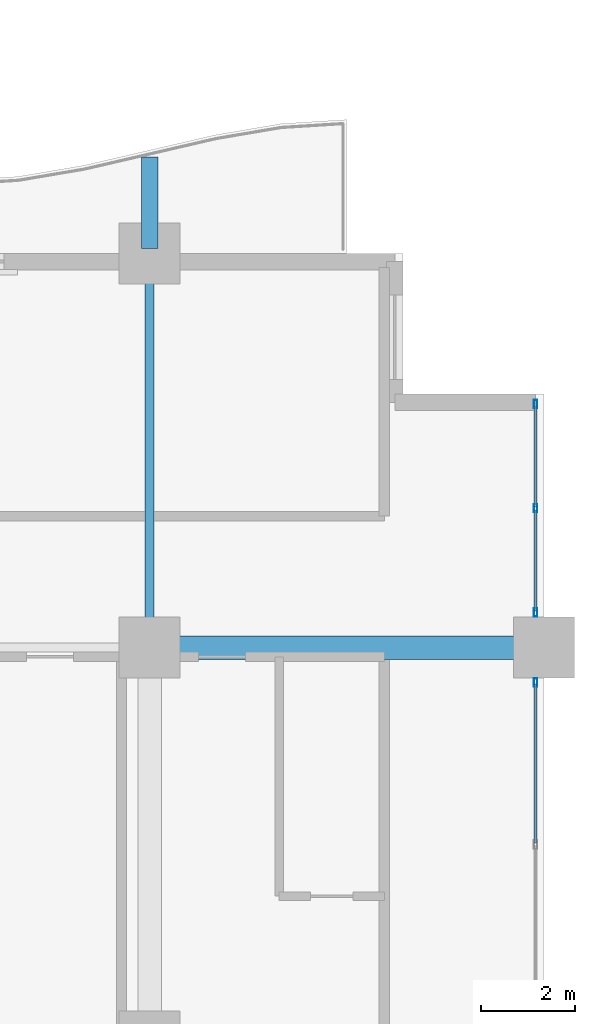
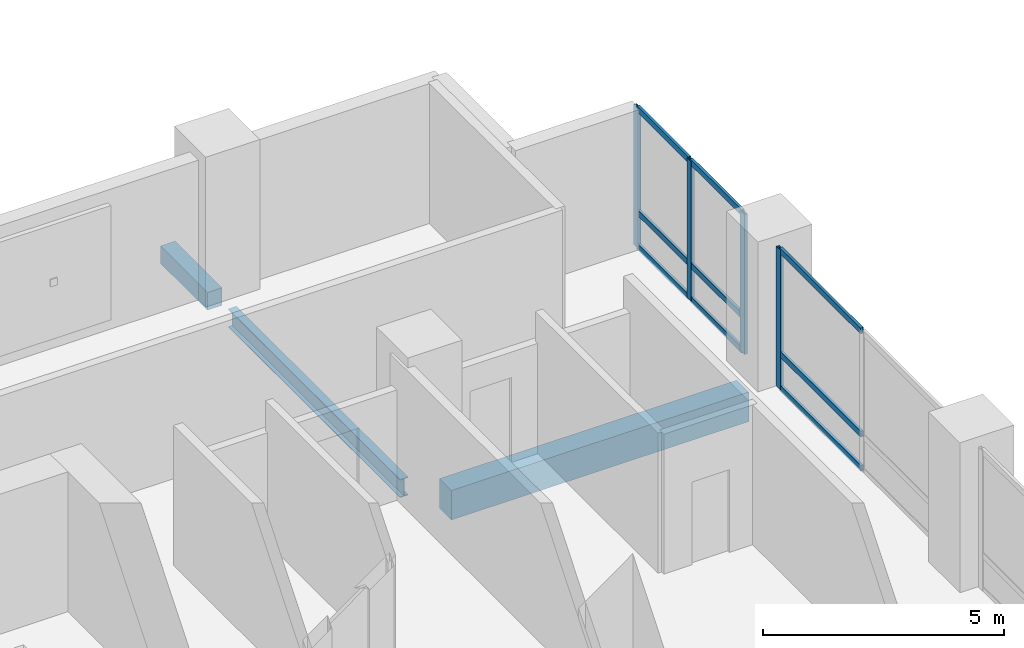
# One storey, part 6 of 24: 13 members, 3 beams, 2 elements without a shape of their own.
"""IFC4 building model written with IfcOpenShell, lengths in metres."""

from ifc_helpers import new_model, si_unit, direction, frame, origin, origin_2d, place, context, subcontext, project, spatial, rectangle, hollow_rectangle, i_section, extrude, material, layer, layer_set, material_profile, profile_set, type_object, element, aggregate, save


model = new_model("IFC4")

# Units and contexts
model_context = context("Model", 3, precision=1e-05, world=origin(), true_north=direction((0.0, 1.0)))
body_context = subcontext(model_context, "Body", "Model", "MODEL_VIEW")
ifc_project = project(units=[si_unit("LENGTHUNIT", "METRE"), si_unit("AREAUNIT", "SQUARE_METRE"), si_unit("VOLUMEUNIT", "CUBIC_METRE"), si_unit("PLANEANGLEUNIT", "RADIAN"), si_unit("MASSUNIT", "GRAM", prefix="KILO")], contexts=[model_context])

# Site, building, storey
site_placement = place(None, origin())
site = spatial("IfcSite", under=ifc_project, at=site_placement, CompositionType="ELEMENT")
building_placement = place(site_placement, origin())
building = spatial("IfcBuilding", under=site, at=building_placement, Name="Koriwani Terraces Tower", CompositionType="ELEMENT")
storey_placement = place(building_placement, frame((0.0, 0.0, 103.800048828125)))
storey = spatial("IfcBuildingStorey", under=building, at=storey_placement, Name="L24", CompositionType="ELEMENT", Elevation=103.800048828125)

# Beams
ifc_material_1 = material(Name="Concrete C40/50", Category="concrete")
ifc_material_profile_1 = material_profile(ifc_material_1, rectangle(XDim=0.35009765625, YDim=0.449951171875, at=origin_2d()), Name="Concrete C40/50", Category="LoadBearing")
ifc_profile_set_1 = profile_set([ifc_material_profile_1], Name="Concrete C40/50")
beam_type_1 = type_object("IfcBeamType", Name="BEAM_RC_BALCONY_RIB_350X450", PredefinedType="JOIST", material=ifc_profile_set_1)
beam_1_placement = place(storey_placement, frame((67.199951171875, 33.699951171875, -0.47509765625), z_axis=(0.0, 1.0, 0.0), x_axis=(-1.0, 0.0, 0.0)))
element("IfcBeam", 1, at=beam_1_placement, inside=storey, type_object=beam_type_1, Name="L24 Balcony Bracket Rib NE-4", PredefinedType="JOIST", context=body_context, shape_type="SweptSolid", body=[
    extrude(rectangle(XDim=0.35009765625, YDim=0.449951171875, at=origin_2d()), origin(), (0.0, 0.0, 1.0), 1.949951171875),
])
ifc_material_2 = material(Name="Concrete C50/60", Category="concrete")
ifc_material_profile_2 = material_profile(ifc_material_2, rectangle(XDim=0.5, YDim=0.75, at=origin_2d()), Name="Concrete C50/60", Category="LoadBearing")
ifc_profile_set_2 = profile_set([ifc_material_profile_2], Name="Concrete C50/60")
beam_type_2 = type_object("IfcBeamType", Name="BEAM_RC_GRID_500X750", PredefinedType="BEAM", material=ifc_profile_set_2)
beam_2_placement = place(storey_placement, frame((67.830078125, 25.199951171875, -0.625), z_axis=(1.0, 0.0, 0.0), x_axis=(0.0, 1.0, 0.0)))
element("IfcBeam", 2, at=beam_2_placement, inside=storey, type_object=beam_type_2, Name="L24 Grid Beam D (67.2-75.6m)", PredefinedType="BEAM", context=body_context, shape_type="SweptSolid", body=[
    extrude(rectangle(XDim=0.5, YDim=0.75, at=origin_2d()), origin(), (0.0, 0.0, 1.0), 7.139892578125),
])

# Curtain wall, members
ifc_material_3 = material(Name="Anodised Bronze Aluminium", Category="aluminium")
ifc_layer = layer(ifc_material_3, 0.179931640625, Name="Anodised Bronze Aluminium")
ifc_layer_set = layer_set([ifc_layer], Name="Anodised Bronze Aluminium")
curtain_wall_type = type_object("IfcCurtainWallType", Name="CW_HOTEL_ZONE2", PredefinedType="NOTDEFINED", material=ifc_layer_set)
curtain_wall_1_placement = place(storey_placement, origin())
curtain_wall_1 = element("IfcCurtainWall", 3, at=curtain_wall_1_placement, inside=storey, type_object=curtain_wall_type, Name="L24 Unitised Curtain Wall (E_TIP) Bay 1", PredefinedType="NOTDEFINED")
ifc_material_profile_3 = material_profile(ifc_material_3, hollow_rectangle(XDim=0.074951171875, YDim=0.179931640625, WallThickness=0.006103515625, at=origin_2d()), Name="Anodised Bronze Aluminium", Category="LoadBearing")
ifc_profile_set_3 = profile_set([ifc_material_profile_3], Name="Anodised Bronze Aluminium")
member_type_1 = type_object("IfcMemberType", Name="CW_MULLION_180X75", PredefinedType="MULLION", material=ifc_profile_set_3)
member_1_placement = place(storey_placement, frame((75.425048828125, 30.387451171875, 0.0), z_axis=(0.0, 0.0, 1.0), x_axis=(1.0, 0.0, 0.0)))
member_1 = element("IfcMember", 4, at=member_1_placement, type_object=member_type_1, Name="CW-Z2 mullion 1", PredefinedType="MULLION", context=body_context, shape_type="SweptSolid", body=[
    extrude(hollow_rectangle(XDim=0.074951171875, YDim=0.179931640625, WallThickness=0.006103515625, at=origin_2d()), origin(), (0.0, 0.0, 1.0), 3.550048828125),
])
member_2_placement = place(storey_placement, frame((75.425048828125, 28.16748046875, 0.0), z_axis=(0.0, 0.0, 1.0), x_axis=(1.0, 0.0, 0.0)))
member_2 = element("IfcMember", 5, at=member_2_placement, type_object=member_type_1, Name="CW-Z2 mullion 2", PredefinedType="MULLION", context=body_context, shape_type="SweptSolid", body=[
    extrude(hollow_rectangle(XDim=0.074951171875, YDim=0.179931640625, WallThickness=0.006103515625, at=origin_2d()), origin(), (0.0, 0.0, 1.0), 3.550048828125),
])
member_3_placement = place(storey_placement, frame((75.425048828125, 25.947509765625, 0.0), z_axis=(0.0, 0.0, 1.0), x_axis=(1.0, 0.0, 0.0)))
member_3 = element("IfcMember", 6, at=member_3_placement, type_object=member_type_1, Name="CW-Z2 mullion 3", PredefinedType="MULLION", context=body_context, shape_type="SweptSolid", body=[
    extrude(hollow_rectangle(XDim=0.074951171875, YDim=0.179931640625, WallThickness=0.006103515625, at=origin_2d()), origin(), (0.0, 0.0, 1.0), 3.550048828125),
])

# Curtain wall, member
curtain_wall_2_placement = place(storey_placement, origin())
curtain_wall_2 = element("IfcCurtainWall", 7, at=curtain_wall_2_placement, inside=storey, type_object=curtain_wall_type, Name="L24 Unitised Curtain Wall (E_TIP) Bay 2", PredefinedType="NOTDEFINED")
member_4_placement = place(storey_placement, frame((75.425048828125, 24.452392578125, 0.0), z_axis=(0.0, 0.0, 1.0), x_axis=(1.0, 0.0, 0.0)))
member_4 = element("IfcMember", 8, at=member_4_placement, type_object=member_type_1, Name="CW-Z2 mullion 1", PredefinedType="MULLION", context=body_context, shape_type="SweptSolid", body=[
    extrude(hollow_rectangle(XDim=0.074951171875, YDim=0.179931640625, WallThickness=0.006103515625, at=origin_2d()), origin(), (0.0, 0.0, 1.0), 3.550048828125),
])

# Member
ifc_material_profile_4 = material_profile(ifc_material_3, hollow_rectangle(XDim=0.06494140625, YDim=0.14990234375, WallThickness=0.0048828125, at=origin_2d()), Name="Anodised Bronze Aluminium", Category="LoadBearing")
ifc_profile_set_4 = profile_set([ifc_material_profile_4], Name="Anodised Bronze Aluminium")
member_type_2 = type_object("IfcMemberType", Name="CW_TRANSOM_150X65", PredefinedType="USERDEFINED", material=ifc_profile_set_4)
member_5_placement = place(storey_placement, frame((75.425048828125, 30.35009765625, 0.032470703125), z_axis=(0.0, -1.0, 0.0), x_axis=(1.0, 0.0, 0.0)))
member_5 = element("IfcMember", 9, at=member_5_placement, type_object=member_type_2, Name="CW-Z2 transom 1.1", ObjectType="TRANSOM", PredefinedType="USERDEFINED", context=body_context, shape_type="SweptSolid", body=[
    extrude(hollow_rectangle(XDim=0.06494140625, YDim=0.14990234375, WallThickness=0.0048828125, at=origin_2d()), origin(), (0.0, 0.0, 1.0), 2.14501953125),
])

member_6_placement = place(storey_placement, frame((75.425048828125, 30.35009765625, 0.89990234375), z_axis=(0.0, -1.0, 0.0), x_axis=(1.0, 0.0, 0.0)))
member_6 = element("IfcMember", 10, at=member_6_placement, type_object=member_type_2, Name="CW-Z2 transom 1.2", ObjectType="TRANSOM", PredefinedType="USERDEFINED", context=body_context, shape_type="SweptSolid", body=[
    extrude(hollow_rectangle(XDim=0.06494140625, YDim=0.14990234375, WallThickness=0.0048828125, at=origin_2d()), origin(), (0.0, 0.0, 1.0), 2.14501953125),
])

member_7_placement = place(storey_placement, frame((75.425048828125, 30.35009765625, 3.517333984375), z_axis=(0.0, -1.0, 0.0), x_axis=(1.0, 0.0, 0.0)))
member_7 = element("IfcMember", 11, at=member_7_placement, type_object=member_type_2, Name="CW-Z2 transom 1.3", ObjectType="TRANSOM", PredefinedType="USERDEFINED", context=body_context, shape_type="SweptSolid", body=[
    extrude(hollow_rectangle(XDim=0.06494140625, YDim=0.14990234375, WallThickness=0.0048828125, at=origin_2d()), origin(), (0.0, 0.0, 1.0), 2.14501953125),
])

member_8_placement = place(storey_placement, frame((75.425048828125, 28.1298828125, 0.032470703125), z_axis=(0.0, -1.0, 0.0), x_axis=(1.0, 0.0, 0.0)))
member_8 = element("IfcMember", 12, at=member_8_placement, type_object=member_type_2, Name="CW-Z2 transom 2.1", ObjectType="TRANSOM", PredefinedType="USERDEFINED", context=body_context, shape_type="SweptSolid", body=[
    extrude(hollow_rectangle(XDim=0.06494140625, YDim=0.14990234375, WallThickness=0.0048828125, at=origin_2d()), origin(), (0.0, 0.0, 1.0), 2.144775390625),
])

member_9_placement = place(storey_placement, frame((75.425048828125, 28.1298828125, 0.89990234375), z_axis=(0.0, -1.0, 0.0), x_axis=(1.0, 0.0, 0.0)))
member_9 = element("IfcMember", 13, at=member_9_placement, type_object=member_type_2, Name="CW-Z2 transom 2.2", ObjectType="TRANSOM", PredefinedType="USERDEFINED", context=body_context, shape_type="SweptSolid", body=[
    extrude(hollow_rectangle(XDim=0.06494140625, YDim=0.14990234375, WallThickness=0.0048828125, at=origin_2d()), origin(), (0.0, 0.0, 1.0), 2.144775390625),
])

member_10_placement = place(storey_placement, frame((75.425048828125, 28.1298828125, 3.517333984375), z_axis=(0.0, -1.0, 0.0), x_axis=(1.0, 0.0, 0.0)))
member_10 = element("IfcMember", 14, at=member_10_placement, type_object=member_type_2, Name="CW-Z2 transom 2.3", ObjectType="TRANSOM", PredefinedType="USERDEFINED", context=body_context, shape_type="SweptSolid", body=[
    extrude(hollow_rectangle(XDim=0.06494140625, YDim=0.14990234375, WallThickness=0.0048828125, at=origin_2d()), origin(), (0.0, 0.0, 1.0), 2.144775390625),
])

aggregate(curtain_wall_1, [member_1, member_2, member_3, member_5, member_6, member_7, member_8, member_9, member_10])

member_11_placement = place(storey_placement, frame((75.425048828125, 24.4150390625, 0.032470703125), z_axis=(0.0, -1.0, 0.0), x_axis=(1.0, 0.0, 0.0)))
member_11 = element("IfcMember", 15, at=member_11_placement, type_object=member_type_2, Name="CW-Z2 transom 1.1", ObjectType="TRANSOM", PredefinedType="USERDEFINED", context=body_context, shape_type="SweptSolid", body=[
    extrude(hollow_rectangle(XDim=0.06494140625, YDim=0.14990234375, WallThickness=0.0048828125, at=origin_2d()), origin(), (0.0, 0.0, 1.0), 3.37744140625),
])

member_12_placement = place(storey_placement, frame((75.425048828125, 24.4150390625, 0.89990234375), z_axis=(0.0, -1.0, 0.0), x_axis=(1.0, 0.0, 0.0)))
member_12 = element("IfcMember", 16, at=member_12_placement, type_object=member_type_2, Name="CW-Z2 transom 1.2", ObjectType="TRANSOM", PredefinedType="USERDEFINED", context=body_context, shape_type="SweptSolid", body=[
    extrude(hollow_rectangle(XDim=0.06494140625, YDim=0.14990234375, WallThickness=0.0048828125, at=origin_2d()), origin(), (0.0, 0.0, 1.0), 3.37744140625),
])

member_13_placement = place(storey_placement, frame((75.425048828125, 24.4150390625, 3.517333984375), z_axis=(0.0, -1.0, 0.0), x_axis=(1.0, 0.0, 0.0)))
member_13 = element("IfcMember", 17, at=member_13_placement, type_object=member_type_2, Name="CW-Z2 transom 1.3", ObjectType="TRANSOM", PredefinedType="USERDEFINED", context=body_context, shape_type="SweptSolid", body=[
    extrude(hollow_rectangle(XDim=0.06494140625, YDim=0.14990234375, WallThickness=0.0048828125, at=origin_2d()), origin(), (0.0, 0.0, 1.0), 3.37744140625),
])

aggregate(curtain_wall_2, [member_4, member_11, member_12, member_13])

# Beam
ifc_material_4 = material(Name="Steel ASTM A572 Grade 50", Category="steel")
ifc_material_profile_5 = material_profile(ifc_material_4, i_section(OverallWidth=0.193115234375, OverallDepth=0.462890625, WebThickness=0.0107421875, FlangeThickness=0.017333984375, at=origin_2d()), Name="Steel ASTM A572 Grade 50", Category="LoadBearing")
ifc_profile_set_5 = profile_set([ifc_material_profile_5], Name="Steel ASTM A572 Grade 50")
beam_type_3 = type_object("IfcBeamType", Name="STEEL_BEAM_W460X113", PredefinedType="BEAM", material=ifc_profile_set_5)
beam_3_placement = place(storey_placement, frame((67.199951171875, 25.830078125, -0.4814453125), z_axis=(0.0, 1.0, 0.0), x_axis=(-1.0, 0.0, 0.0)))
element("IfcBeam", 18, at=beam_3_placement, inside=storey, type_object=beam_type_3, Name="L24 Grid Beam 9 (25.2-33.6m)", PredefinedType="BEAM", context=body_context, shape_type="SweptSolid", body=[
    extrude(i_section(OverallWidth=0.193115234375, OverallDepth=0.462890625, WebThickness=0.0107421875, FlangeThickness=0.017333984375, at=origin_2d()), origin(), (0.0, 0.0, 1.0), 7.139892578125),
])

save(model, "model.ifc")
